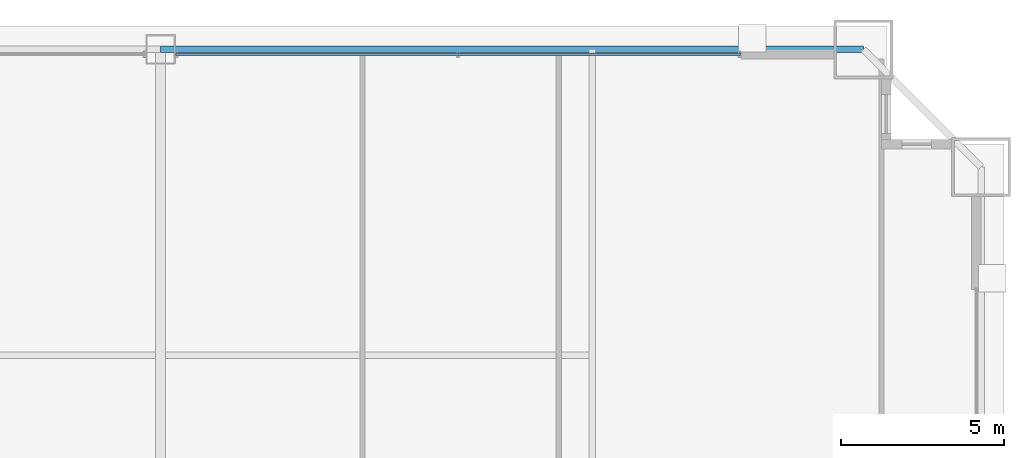
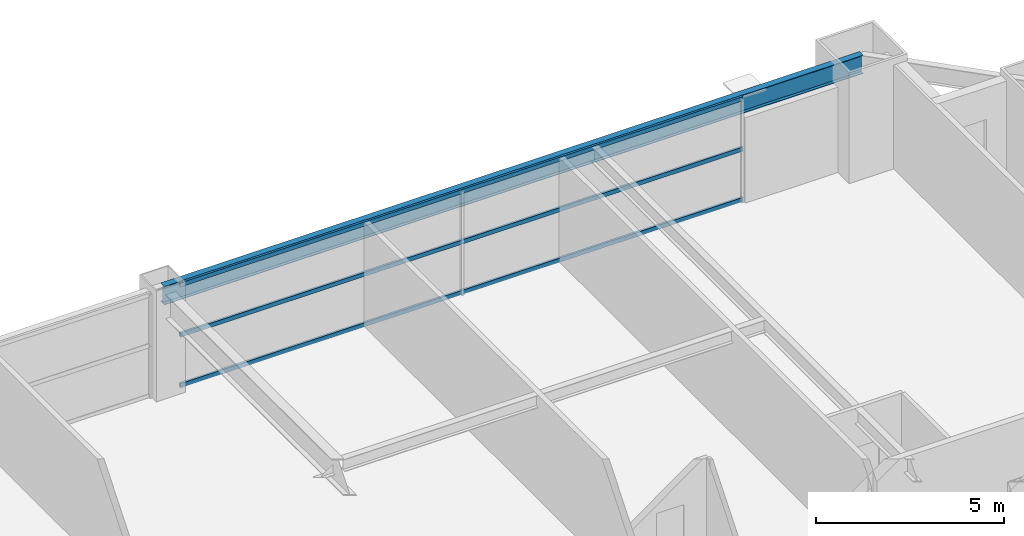
# One storey, part 36 of 43: 3 members, 1 beam, 1 element without a shape of its own.
"""IFC4 building model written with IfcOpenShell, lengths in metres."""

from ifc_helpers import new_model, si_unit, direction, frame, origin, origin_2d, place, context, subcontext, project, spatial, hollow_rectangle, i_section, extrude, source, transform, mapped, material, layer, layer_set, material_profile, profile_set, type_object, element, aggregate, save


model = new_model("IFC4")

# Units and contexts
model_context = context("Model", 3, precision=1e-05, world=origin(), true_north=direction((0.0, 1.0)))
body_context = subcontext(model_context, "Body", "Model", "MODEL_VIEW")
ifc_project = project(units=[si_unit("LENGTHUNIT", "METRE"), si_unit("AREAUNIT", "SQUARE_METRE"), si_unit("VOLUMEUNIT", "CUBIC_METRE"), si_unit("PLANEANGLEUNIT", "RADIAN"), si_unit("MASSUNIT", "GRAM", prefix="KILO"), si_unit("THERMODYNAMICTEMPERATUREUNIT", "KELVIN"), si_unit("POWERUNIT", "WATT")], contexts=[model_context])

# Site, building, storey
site_placement = place(None, origin())
site = spatial("IfcSite", under=ifc_project, at=site_placement, CompositionType="ELEMENT")
building_placement = place(site_placement, origin())
building = spatial("IfcBuilding", under=site, at=building_placement, Name="Yuzanri Waterfront Tower", CompositionType="ELEMENT")
storey_placement = place(building_placement, frame((0.0, 0.0, 78.39990234375)))
storey = spatial("IfcBuildingStorey", under=building, at=storey_placement, Name="L20", CompositionType="ELEMENT", Elevation=78.39990234375)

# Beam
ifc_material_1 = material(Name="Steel Q355B", Category="steel")
ifc_material_profile_1 = material_profile(ifc_material_1, i_section(OverallWidth=0.199951171875, OverallDepth=0.60009765625, WebThickness=0.010986328125, FlangeThickness=0.01708984375, at=origin_2d()), Name="HN 600x200x11x17")
ifc_profile_set_1 = profile_set([ifc_material_profile_1], Name="Steel Q355B")
beam_type = type_object("IfcBeamType", Name="Perimeter Spandrel Q355B HN 600x200", PredefinedType="SPANDREL", material=ifc_profile_set_1)
shared_shape_1 = source(origin(), body_context, "Body", "SweptSolid", [
    extrude(i_section(OverallWidth=0.199951171875, OverallDepth=0.60009765625, WebThickness=0.010986328125, FlangeThickness=0.01708984375, at=origin_2d()), origin(), (0.0, 0.0, 1.0), 21.5),
])
beam_placement = place(storey_placement, frame((58.5, 50.89990234375, 3.080078125), z_axis=(-1.0, 0.0, 0.0), x_axis=(0.0, -1.0, 0.0)))
element("IfcBeam", 1, at=beam_placement, inside=storey, type_object=beam_type, Name="L20 Perimeter Spandrel N3-N2", PredefinedType="SPANDREL", context=body_context, shape_type="MappedRepresentation", body=[
    mapped(shared_shape_1, transform((0.0, 0.0, 0.0), scale=1.0)),
])

# Curtain wall, members
ifc_material_2 = material(Name="Anodized Architectural Bronze", Category="metal")
ifc_layer = layer(ifc_material_2, 0.159912109375)
ifc_layer_set = layer_set([ifc_layer], Name="Anodized Architectural Bronze")
curtain_wall_type = type_object("IfcCurtainWallType", Name="Anodized Bronze Hotel Lower-Tier Recessed Unitized Curtain Wall 8100", PredefinedType="NOTDEFINED", material=ifc_layer_set)
curtain_wall_placement = place(storey_placement, origin())
curtain_wall = element("IfcCurtainWall", 2, at=curtain_wall_placement, inside=storey, type_object=curtain_wall_type, Name="L20 Curtain Wall CW-L20-NR", PredefinedType="NOTDEFINED")
ifc_material_3 = material(Name="Anodized Architectural Bronze", Category="metal")
ifc_material_profile_2 = material_profile(ifc_material_3, hollow_rectangle(XDim=0.070068359375, YDim=0.135009765625, WallThickness=0.00341796875, at=origin_2d()), Name="CWT 70x135")
ifc_profile_set_2 = profile_set([ifc_material_profile_2], Name="Anodized Architectural Bronze")
member_type = type_object("IfcMemberType", Name="Anodized Bronze Standard Curtain-Wall Transom 70x135", PredefinedType="USERDEFINED", material=ifc_profile_set_2)
shared_shape_2 = source(origin(), body_context, "Body", "SweptSolid", [
    extrude(hollow_rectangle(XDim=0.070068359375, YDim=0.135009765625, WallThickness=0.00341796875, at=origin_2d()), origin(), (0.0, 0.0, 1.0), 17.300048828125),
])
member_1_placement = place(storey_placement, frame((37.449951171875, 50.75, 0.050048828125), z_axis=(1.0, 0.0, 0.0), x_axis=(0.0, 1.0, 0.0)))
member_1 = element("IfcMember", 3, at=member_1_placement, type_object=member_type, Name="CW-L20-NR Transom 1", ObjectType="TRANSOM", PredefinedType="USERDEFINED", context=body_context, shape_type="MappedRepresentation", body=[
    mapped(shared_shape_2, transform((0.0, 0.0, 0.0), scale=1.0)),
])
member_2_placement = place(storey_placement, frame((37.449951171875, 50.75, 1.690185546875), z_axis=(1.0, 0.0, 0.0), x_axis=(0.0, 1.0, 0.0)))
member_2 = element("IfcMember", 4, at=member_2_placement, type_object=member_type, Name="CW-L20-NR Transom 2", ObjectType="TRANSOM", PredefinedType="USERDEFINED", context=body_context, shape_type="MappedRepresentation", body=[
    mapped(shared_shape_2, transform((0.0, 0.0, 0.0), scale=1.0)),
])
member_3_placement = place(storey_placement, frame((37.449951171875, 50.75, 3.330078125), z_axis=(1.0, 0.0, 0.0), x_axis=(0.0, 1.0, 0.0)))
member_3 = element("IfcMember", 5, at=member_3_placement, type_object=member_type, Name="CW-L20-NR Transom 3", ObjectType="TRANSOM", PredefinedType="USERDEFINED", context=body_context, shape_type="MappedRepresentation", body=[
    mapped(shared_shape_2, transform((0.0, 0.0, 0.0), scale=1.0)),
])
aggregate(curtain_wall, [member_1, member_2, member_3])

save(model, "model.ifc")
